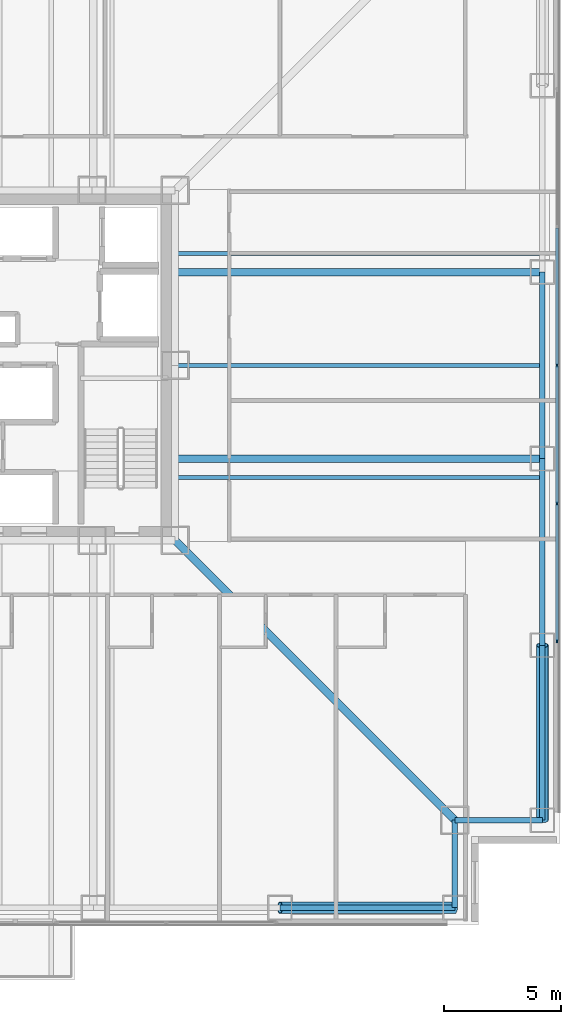
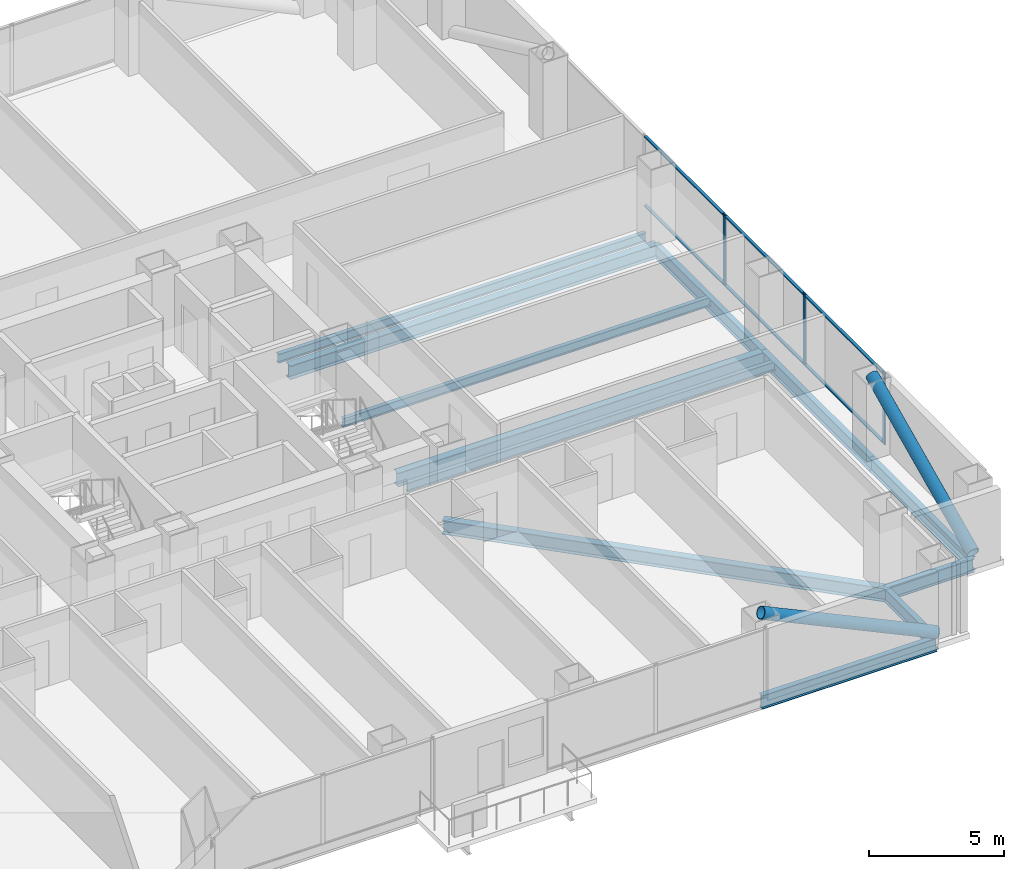
# One storey, part 6 of 16: 12 beams, 11 members, 1 element without a shape of its own.
"""IFC4 building model written with IfcOpenShell, lengths in metres."""

from ifc_helpers import new_model, si_unit, direction, frame, origin, origin_2d, place, context, subcontext, project, spatial, rectangle, hollow_circle, i_section, extrude, material, layer, layer_set, material_profile, profile_set, type_object, element, aggregate, save


model = new_model("IFC4")

# Units and contexts
model_context = context("Model", 3, precision=1e-05, world=origin(), true_north=direction((0.0, 1.0)))
body_context = subcontext(model_context, "Body", "Model", "MODEL_VIEW")
ifc_project = project(units=[si_unit("LENGTHUNIT", "METRE"), si_unit("AREAUNIT", "SQUARE_METRE"), si_unit("VOLUMEUNIT", "CUBIC_METRE"), si_unit("PLANEANGLEUNIT", "RADIAN"), si_unit("MASSUNIT", "GRAM", prefix="KILO")], contexts=[model_context])

# Site, building, storey
site_placement = place(None, origin())
site = spatial("IfcSite", under=ifc_project, at=site_placement, CompositionType="ELEMENT")
building_placement = place(site_placement, origin())
building = spatial("IfcBuilding", under=site, at=building_placement, Name="Trevonay Congress Spire", CompositionType="ELEMENT")
storey_placement = place(building_placement, frame((0.0, 0.0, 65.5)))
storey = spatial("IfcBuildingStorey", under=building, at=storey_placement, Name="L16", CompositionType="ELEMENT", Elevation=65.5)

# Beams
ifc_material_1 = material(Name="Steel ASTM A572 Grade 50", Category="steel")
ifc_material_profile_1 = material_profile(ifc_material_1, i_section(OverallWidth=0.324951171875, OverallDepth=0.615966796875, WebThickness=0.013916015625, FlangeThickness=0.021484375, FilletRadius=0.01806640625, at=origin_2d()), Name="W610x174")
ifc_profile_set_1 = profile_set([ifc_material_profile_1], Name="Steel ASTM A572 Grade 50")
beam_type_1 = type_object("IfcBeamType", Name="BM-GIRD-W610X174", PredefinedType="BEAM", material=ifc_profile_set_1)
beam_1_placement = place(storey_placement, frame((7.5, -7.5, -0.55810546875), z_axis=(0.707106781187, -0.707106781187, 0.0), x_axis=(0.707106781187, 0.707106781187, 0.0)))
element("IfcBeam", 1, at=beam_1_placement, inside=storey, type_object=beam_type_1, Name="L16 structural beam BM-L16-CDSE", PredefinedType="BEAM", context=body_context, shape_type="SweptSolid", body=[
    extrude(i_section(OverallWidth=0.324951171875, OverallDepth=0.615966796875, WebThickness=0.013916015625, FlangeThickness=0.021484375, FilletRadius=0.01806640625, at=origin_2d()), origin(), (0.0, 0.0, 1.0), 16.970458984375),
])
for number, where, z_axis, x_axis, name in (
    (2, (7.5, -4.0, -0.55810546875), (1.0, 0.0, 0.0), (0.0, 1.0, 0.0), "L16 structural beam BM-L16-GE-M"),
    (3, (7.5, 4.0, -0.55810546875), (1.0, 0.0, 0.0), (0.0, 1.0, 0.0), "L16 structural beam BM-L16-GE-P"),
):
    element("IfcBeam", number, at=place(storey_placement, frame(where, z_axis=z_axis, x_axis=x_axis)), inside=storey, type_object=beam_type_1, Name=name, PredefinedType="BEAM", context=body_context, shape_type="SweptSolid", body=[
        extrude(i_section(OverallWidth=0.324951171875, OverallDepth=0.615966796875, WebThickness=0.013916015625, FlangeThickness=0.021484375, FilletRadius=0.01806640625, at=origin_2d()), origin(), (0.0, 0.0, 1.0), 15.75),
    ])
ifc_material_profile_2 = material_profile(ifc_material_1, i_section(OverallWidth=0.22998046875, OverallDepth=0.616943359375, WebThickness=0.01318359375, FlangeThickness=0.022216796875, FilletRadius=0.01611328125, at=origin_2d()), Name="W610x140")
ifc_profile_set_2 = profile_set([ifc_material_profile_2], Name="Steel ASTM A572 Grade 50")
beam_type_2 = type_object("IfcBeamType", Name="BM-RING-W610X140", PredefinedType="BEAM", material=ifc_profile_set_2)
beam_2_placement = place(storey_placement, frame((23.25, -19.5, -0.55859375), z_axis=(0.0, 1.0, 0.0), x_axis=(-1.0, 0.0, 0.0)))
element("IfcBeam", 4, at=beam_2_placement, inside=storey, type_object=beam_type_2, Name="L16 structural beam BM-L16-PE1", PredefinedType="BEAM", context=body_context, shape_type="SweptSolid", body=[
    extrude(i_section(OverallWidth=0.22998046875, OverallDepth=0.616943359375, WebThickness=0.01318359375, FlangeThickness=0.022216796875, FilletRadius=0.01611328125, at=origin_2d()), origin(), (0.0, 0.0, 1.0), 7.5),
])
for number, where, z_axis, x_axis, name in (
    (5, (23.25, -12.0, -0.55859375), (0.0, 1.0, 0.0), (-1.0, 0.0, 0.0), "L16 structural beam BM-L16-PE2"),
    (6, (23.25, -4.0, -0.55859375), (0.0, 1.0, 0.0), (-1.0, 0.0, 0.0), "L16 structural beam BM-L16-PE3"),
):
    element("IfcBeam", number, at=place(storey_placement, frame(where, z_axis=z_axis, x_axis=x_axis)), inside=storey, type_object=beam_type_2, Name=name, PredefinedType="BEAM", context=body_context, shape_type="SweptSolid", body=[
        extrude(i_section(OverallWidth=0.22998046875, OverallDepth=0.616943359375, WebThickness=0.01318359375, FlangeThickness=0.022216796875, FilletRadius=0.01611328125, at=origin_2d()), origin(), (0.0, 0.0, 1.0), 8.0),
    ])
beam_3_placement = place(storey_placement, frame((12.0, -23.25, -0.55859375), z_axis=(1.0, 0.0, 0.0), x_axis=(0.0, 1.0, 0.0)))
element("IfcBeam", 7, at=beam_3_placement, inside=storey, type_object=beam_type_2, Name="L16 structural beam BM-L16-PS5", PredefinedType="BEAM", context=body_context, shape_type="SweptSolid", body=[
    extrude(i_section(OverallWidth=0.22998046875, OverallDepth=0.616943359375, WebThickness=0.01318359375, FlangeThickness=0.022216796875, FilletRadius=0.01611328125, at=origin_2d()), origin(), (0.0, 0.0, 1.0), 7.5),
])
for number, where, z_axis, x_axis, name in (
    (8, (19.5, -23.25, -0.55859375), (0.0, 1.0, 0.0), (-1.0, 0.0, 0.0), "L16 structural beam BM-L16-N1SE"),
    (9, (23.25, -19.5, -0.55859375), (-1.0, 0.0, 0.0), (0.0, -1.0, 0.0), "L16 structural beam BM-L16-N2SE"),
):
    element("IfcBeam", number, at=place(storey_placement, frame(where, z_axis=z_axis, x_axis=x_axis)), inside=storey, type_object=beam_type_2, Name=name, PredefinedType="BEAM", context=body_context, shape_type="SweptSolid", body=[
        extrude(i_section(OverallWidth=0.22998046875, OverallDepth=0.616943359375, WebThickness=0.01318359375, FlangeThickness=0.022216796875, FilletRadius=0.01611328125, at=origin_2d()), origin(), (0.0, 0.0, 1.0), 3.75),
    ])

# Curtain wall, members
ifc_material_2 = material(Name="Pale Anodised Aluminium EN AW-6063-T6", Category="aluminium")
ifc_layer = layer(ifc_material_2, 0.179931640625, Name="Pale Anodised Aluminium EN AW-6063-T6")
ifc_layer_set = layer_set([ifc_layer], Name="Pale Anodised Aluminium EN AW-6063-T6")
curtain_wall_type = type_object("IfcCurtainWallType", Name="CW-SYS02-HOTEL-PALE-METAL", PredefinedType="NOTDEFINED", material=ifc_layer_set)
curtain_wall_placement = place(storey_placement, origin())
curtain_wall = element("IfcCurtainWall", 10, at=curtain_wall_placement, inside=storey, type_object=curtain_wall_type, Name="L16 E unitised curtain wall", PredefinedType="NOTDEFINED")
ifc_material_profile_3 = material_profile(ifc_material_2, rectangle(XDim=0.06005859375, YDim=0.159912109375, at=origin_2d()), Name="CW-MULLION-160-ALUMINIUM")
ifc_profile_set_3 = profile_set([ifc_material_profile_3], Name="Pale Anodised Aluminium EN AW-6063-T6")
member_type_1 = type_object("IfcMemberType", Name="CW-MULLION-160-ALUMINIUM", PredefinedType="MULLION", material=ifc_profile_set_3)
member_1_placement = place(storey_placement, frame((23.8798828125, -11.820068359375, 0.0), z_axis=(0.0, 0.0, 1.0), x_axis=(-1.0, 0.0, 0.0)))
member_1 = element("IfcMember", 11, at=member_1_placement, type_object=member_type_1, Name="CW02 mullion 1", PredefinedType="MULLION", context=body_context, shape_type="SweptSolid", body=[
    extrude(rectangle(XDim=0.06005859375, YDim=0.159912109375, at=origin_2d()), origin(), (0.0, 0.0, 1.0), 3.25),
])
member_2_placement = place(storey_placement, frame((23.8798828125, -5.925048828125, 0.0), z_axis=(0.0, 0.0, 1.0), x_axis=(-1.0, 0.0, 0.0)))
member_2 = element("IfcMember", 12, at=member_2_placement, type_object=member_type_1, Name="CW02 mullion 2", PredefinedType="MULLION", context=body_context, shape_type="SweptSolid", body=[
    extrude(rectangle(XDim=0.06005859375, YDim=0.159912109375, at=origin_2d()), origin(), (0.0, 0.0, 1.0), 3.25),
])
member_3_placement = place(storey_placement, frame((23.8798828125, 0.0, 0.0), z_axis=(0.0, 0.0, 1.0), x_axis=(-1.0, 0.0, 0.0)))
member_3 = element("IfcMember", 13, at=member_3_placement, type_object=member_type_1, Name="CW02 mullion 3", PredefinedType="MULLION", context=body_context, shape_type="SweptSolid", body=[
    extrude(rectangle(XDim=0.06005859375, YDim=0.159912109375, at=origin_2d()), origin(), (0.0, 0.0, 1.0), 3.25),
])
ifc_material_profile_4 = material_profile(ifc_material_2, rectangle(XDim=0.1201171875, YDim=0.06005859375, at=origin_2d()), Name="CW-TRANSOM-120-ALUMINIUM")
ifc_profile_set_4 = profile_set([ifc_material_profile_4], Name="Pale Anodised Aluminium EN AW-6063-T6")
member_type_2 = type_object("IfcMemberType", Name="CW-TRANSOM-120-ALUMINIUM", PredefinedType="USERDEFINED", material=ifc_profile_set_4)
member_4_placement = place(storey_placement, frame((23.8798828125, -11.7900390625, 0.06005859375), z_axis=(0.0, 1.0, 0.0), x_axis=(-1.0, 0.0, 0.0)))
member_4 = element("IfcMember", 14, at=member_4_placement, type_object=member_type_2, Name="CW02 transom 1.1", ObjectType="TRANSOM", PredefinedType="USERDEFINED", context=body_context, shape_type="SweptSolid", body=[
    extrude(rectangle(XDim=0.1201171875, YDim=0.06005859375, at=origin_2d()), origin(), (0.0, 0.0, 1.0), 5.8349609375),
])
member_5_placement = place(storey_placement, frame((23.8798828125, -11.7900390625, 3.18994140625), z_axis=(0.0, 1.0, 0.0), x_axis=(-1.0, 0.0, 0.0)))
member_5 = element("IfcMember", 15, at=member_5_placement, type_object=member_type_2, Name="CW02 transom 1.2", ObjectType="TRANSOM", PredefinedType="USERDEFINED", context=body_context, shape_type="SweptSolid", body=[
    extrude(rectangle(XDim=0.1201171875, YDim=0.06005859375, at=origin_2d()), origin(), (0.0, 0.0, 1.0), 5.8349609375),
])
member_6_placement = place(storey_placement, frame((23.8798828125, -5.89501953125, 0.06005859375), z_axis=(0.0, 1.0, 0.0), x_axis=(-1.0, 0.0, 0.0)))
member_6 = element("IfcMember", 16, at=member_6_placement, type_object=member_type_2, Name="CW02 transom 2.1", ObjectType="TRANSOM", PredefinedType="USERDEFINED", context=body_context, shape_type="SweptSolid", body=[
    extrude(rectangle(XDim=0.1201171875, YDim=0.06005859375, at=origin_2d()), origin(), (0.0, 0.0, 1.0), 5.864990234375),
])
member_7_placement = place(storey_placement, frame((23.8798828125, -5.89501953125, 3.18994140625), z_axis=(0.0, 1.0, 0.0), x_axis=(-1.0, 0.0, 0.0)))
member_7 = element("IfcMember", 17, at=member_7_placement, type_object=member_type_2, Name="CW02 transom 2.2", ObjectType="TRANSOM", PredefinedType="USERDEFINED", context=body_context, shape_type="SweptSolid", body=[
    extrude(rectangle(XDim=0.1201171875, YDim=0.06005859375, at=origin_2d()), origin(), (0.0, 0.0, 1.0), 5.864990234375),
])
member_8_placement = place(storey_placement, frame((23.8798828125, 0.030029296875, 0.06005859375), z_axis=(0.0, 1.0, 0.0), x_axis=(-1.0, 0.0, 0.0)))
member_8 = element("IfcMember", 18, at=member_8_placement, type_object=member_type_2, Name="CW02 transom 3.1", ObjectType="TRANSOM", PredefinedType="USERDEFINED", context=body_context, shape_type="SweptSolid", body=[
    extrude(rectangle(XDim=0.1201171875, YDim=0.06005859375, at=origin_2d()), origin(), (0.0, 0.0, 1.0), 5.864990234375),
])
member_9_placement = place(storey_placement, frame((23.8798828125, 0.030029296875, 3.18994140625), z_axis=(0.0, 1.0, 0.0), x_axis=(-1.0, 0.0, 0.0)))
member_9 = element("IfcMember", 19, at=member_9_placement, type_object=member_type_2, Name="CW02 transom 3.2", ObjectType="TRANSOM", PredefinedType="USERDEFINED", context=body_context, shape_type="SweptSolid", body=[
    extrude(rectangle(XDim=0.1201171875, YDim=0.06005859375, at=origin_2d()), origin(), (0.0, 0.0, 1.0), 5.864990234375),
])
aggregate(curtain_wall, [member_1, member_2, member_3, member_4, member_5, member_6, member_7, member_8, member_9])

# Beams
ifc_material_profile_5 = material_profile(ifc_material_1, i_section(OverallWidth=0.177978515625, OverallDepth=0.406982421875, WebThickness=0.0078125, FlangeThickness=0.0126953125, FilletRadius=0.012939453125, at=origin_2d()), Name="W410x60")
ifc_profile_set_5 = profile_set([ifc_material_profile_5], Name="Steel ASTM A572 Grade 50")
beam_type_3 = type_object("IfcBeamType", Name="JS-COMP-W410X60", PredefinedType="JOIST", material=ifc_profile_set_5)
for number, where, z_axis, x_axis, name in (
    (20, (7.5, -4.800048828125, -0.45361328125), (1.0, 0.0, 0.0), (0.0, 1.0, 0.0), "L16 structural beam JS-L16-EW-E1"),
    (21, (7.5, 0.0, -0.45361328125), (1.0, 0.0, 0.0), (0.0, 1.0, 0.0), "L16 structural beam JS-L16-EW-E2"),
    (22, (7.5, 4.800048828125, -0.45361328125), (1.0, 0.0, 0.0), (0.0, 1.0, 0.0), "L16 structural beam JS-L16-EW-E3"),
):
    element("IfcBeam", number, at=place(storey_placement, frame(where, z_axis=z_axis, x_axis=x_axis)), inside=storey, type_object=beam_type_3, Name=name, PredefinedType="JOIST", context=body_context, shape_type="SweptSolid", body=[
        extrude(i_section(OverallWidth=0.177978515625, OverallDepth=0.406982421875, WebThickness=0.0078125, FlangeThickness=0.0126953125, FilletRadius=0.012939453125, at=origin_2d()), origin(), (0.0, 0.0, 1.0), 15.75),
    ])

# Members
ifc_material_profile_6 = material_profile(ifc_material_1, hollow_circle(Radius=0.25390625, WallThickness=0.02490234375, at=origin_2d()), Name="CHS 508x25")
ifc_profile_set_6 = profile_set([ifc_material_profile_6], Name="Steel ASTM A572 Grade 50")
member_type_3 = type_object("IfcMemberType", Name="MBR-TUBE-CHS508", PredefinedType="BRACE", material=ifc_profile_set_6)
for number, where, z_axis, x_axis, name in (
    (23, (19.5, -23.25, -0.050048828125), (-0.906183139995, 0.0, 0.422885465331), (0.0, -1.0, 0.0), "L16 perimeter braced-tube diagonal S4"),
    (24, (23.25, -19.5, -0.050048828125), (0.0, 0.906183139995, 0.422885465331), (-1.0, 0.0, 0.0), "L16 perimeter braced-tube diagonal E0"),
):
    element("IfcMember", number, at=place(storey_placement, frame(where, z_axis=z_axis, x_axis=x_axis)), inside=storey, type_object=member_type_3, Name=name, PredefinedType="BRACE", context=body_context, shape_type="SweptSolid", body=[
        extrude(hollow_circle(Radius=0.25390625, WallThickness=0.02490234375, at=origin_2d()), origin(), (0.0, 0.0, 1.0), 8.2763671875),
    ])

save(model, "model.ifc")
